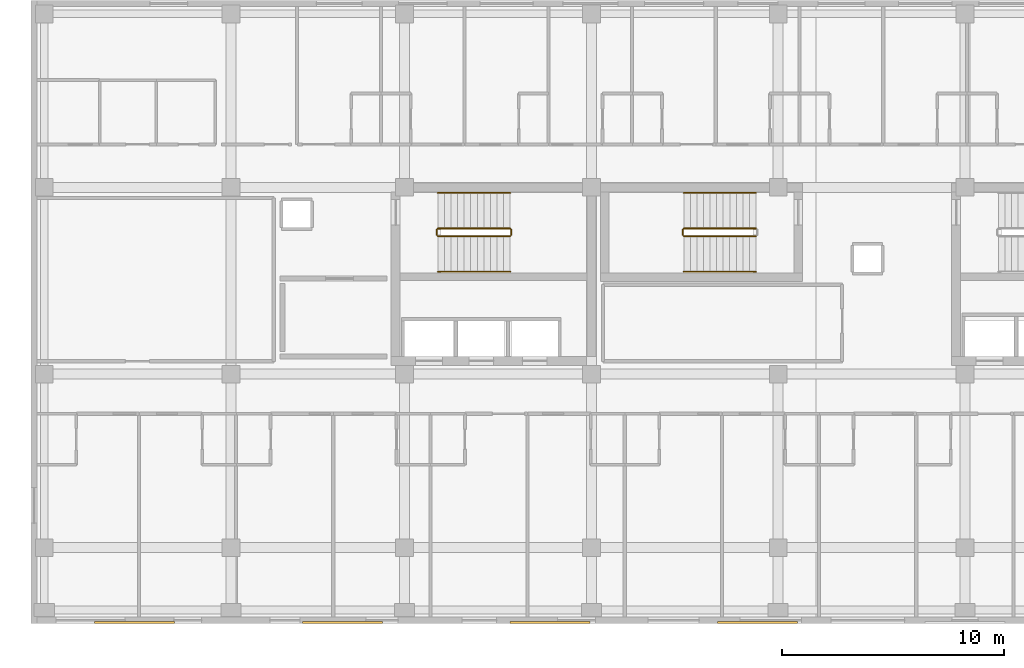
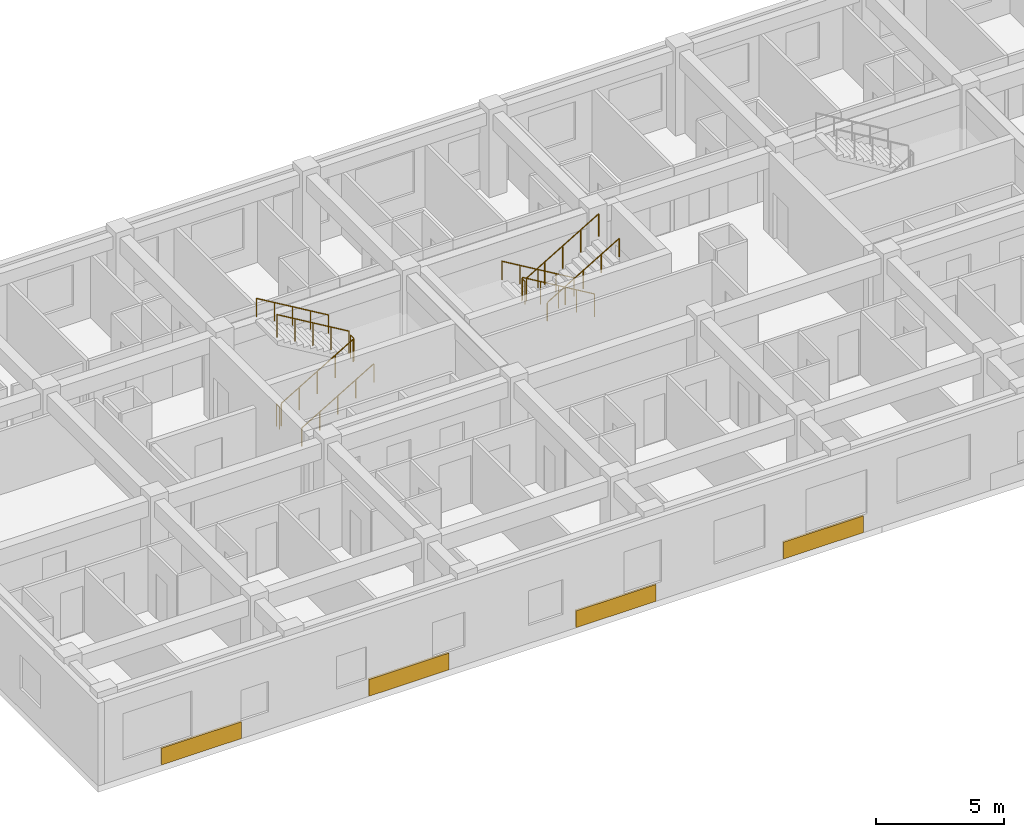
# One storey, part 116 of 127: 11 railings, 4 coverings.
"""IFC4 building model written with IfcOpenShell, lengths in metres."""

from ifc_helpers import new_model, si_unit, direction, frame, origin, origin_2d, place, context, subcontext, project, spatial, rectangle, circle, extrude, material, layer, layer_set, type_object, element, save


model = new_model("IFC4")

# Units and contexts
model_context = context("Model", 3, precision=1e-05, world=origin(), true_north=direction((0.0, 1.0)))
body_context = subcontext(model_context, "Body", "Model", "MODEL_VIEW")
ifc_project = project(units=[si_unit("LENGTHUNIT", "METRE"), si_unit("AREAUNIT", "SQUARE_METRE"), si_unit("VOLUMEUNIT", "CUBIC_METRE"), si_unit("PLANEANGLEUNIT", "RADIAN"), si_unit("MASSUNIT", "GRAM", prefix="KILO")], contexts=[model_context])

# Site, building, storey
site_placement = place(None, origin())
site = spatial("IfcSite", under=ifc_project, at=site_placement, CompositionType="ELEMENT")
building_placement = place(site_placement, origin())
building = spatial("IfcBuilding", under=site, at=building_placement, Name="Zayran Congress Hotel", CompositionType="ELEMENT")
storey_placement = place(building_placement, frame((0.0, 0.0, 10.800048828125)))
storey = spatial("IfcBuildingStorey", under=building, at=storey_placement, Name="L02", CompositionType="ELEMENT", Elevation=10.800048828125)

# Coverings
ifc_material_1 = material(Name="Ochre geometric bas-relief Hajar Ma'ani stone", Category="masonry")
ifc_layer = layer(ifc_material_1, 0.090087890625)
ifc_layer_set = layer_set([ifc_layer], Name="Ochre geometric bas-relief Hajar Ma'ani stone")
covering_type = type_object("IfcCoveringType", Name="TP-CLD-01", PredefinedType="CLADDING", material=ifc_layer_set)
for number, where, z_axis, x_axis, name in (
    (1, (13.06689453125, 6.044921875, 0.0), (0.0, 0.0, 1.0), (1.0, 0.0, 0.0), "CLD-V5S-L02-0"),
    (2, (22.39990234375, 6.044921875, 0.0), (0.0, 0.0, 1.0), (1.0, 0.0, 0.0), "CLD-V5S-L02-1"),
    (3, (31.73291015625, 6.044921875, 0.0), (0.0, 0.0, 1.0), (1.0, 0.0, 0.0), "CLD-V5S-L02-2"),
    (4, (41.06689453125, 6.044921875, 0.0), (0.0, 0.0, 1.0), (1.0, 0.0, 0.0), "CLD-V5S-L02-3"),
):
    element("IfcCovering", number, at=place(storey_placement, frame(where, z_axis=z_axis, x_axis=x_axis)), inside=storey, type_object=covering_type, Name=name, PredefinedType="CLADDING", context=body_context, shape_type="SweptSolid", body=[
        extrude(rectangle(XDim=3.60009765625, YDim=0.090087890625, at=origin_2d()), origin(), (0.0, 0.0, 1.0), 0.800048828125),
    ])

# Railings
ifc_material_2 = material(Name="Painted steel balustrade", Category="steel")
railing_type_1 = type_object("IfcRailingType", Name="TP-GRD-INT", PredefinedType="GUARDRAIL", material=ifc_material_2)
railing_1_placement = place(storey_placement, frame((26.699951171875, 23.409912109375, 0.175048828125)))
element("IfcRailing", 5, at=railing_1_placement, inside=storey, type_object=railing_type_1, Name="L02 ST-01 stair guard 1", PredefinedType="GUARDRAIL", context=body_context, shape_type="SweptSolid", body=[
    extrude(circle(Radius=0.02392578125, at=origin_2d()), frame((0.0, 0.0, 1.076171875), z_axis=(0.860085452069, 0.0, 0.510149992786), x_axis=(0.0, 1.0, 0.0)), (0.0, 0.0, 1.0), 3.77294921875),
    extrude(circle(Radius=0.02099609375, at=origin_2d()), origin(), (0.0, 0.0, 1.0), 1.052001953125),
    extrude(circle(Radius=0.02099609375, at=origin_2d()), frame((0.811279296875, 0.0, 0.481201171875)), (0.0, 0.0, 1.0), 1.052001953125),
    extrude(circle(Radius=0.02099609375, at=origin_2d()), frame((1.62255859375, 0.0, 0.96240234375)), (0.0, 0.0, 1.0), 1.052001953125),
    extrude(circle(Radius=0.02099609375, at=origin_2d()), frame((2.433837890625, 0.0, 1.443603515625)), (0.0, 0.0, 1.0), 1.052001953125),
    extrude(circle(Radius=0.02099609375, at=origin_2d()), frame((3.2451171875, 0.0, 1.9248046875)), (0.0, 0.0, 1.0), 1.052001953125),
])
railing_2_placement = place(storey_placement, frame((29.9951171875, 23.4599609375, 2.099853515625)))
element("IfcRailing", 6, at=railing_2_placement, inside=storey, type_object=railing_type_1, Name="L02 ST-01 stair guard 2", PredefinedType="GUARDRAIL", context=body_context, shape_type="SweptSolid", body=[
    extrude(circle(Radius=0.02392578125, at=origin_2d()), frame((0.0, 0.0, 1.076171875), z_axis=(0.0, 1.0, 0.0), x_axis=(-1.0, 0.0, 0.0)), (0.0, 0.0, 1.0), 0.239990234375),
    extrude(circle(Radius=0.02099609375, at=origin_2d()), origin(), (0.0, 0.0, 1.0), 1.052001953125),
    extrude(circle(Radius=0.02099609375, at=origin_2d()), frame((0.0, 0.239990234375, 0.0)), (0.0, 0.0, 1.0), 1.052001953125),
])
railing_3_placement = place(storey_placement, frame((29.945068359375, 23.75, 2.27490234375)))
element("IfcRailing", 7, at=railing_3_placement, inside=storey, type_object=railing_type_1, Name="L02 ST-01 stair guard 3", PredefinedType="GUARDRAIL", context=body_context, shape_type="SweptSolid", body=[
    extrude(circle(Radius=0.02392578125, at=origin_2d()), frame((0.0, 0.0, 1.076171875), z_axis=(-0.860057060016, 0.0, 0.510197857224), x_axis=(0.0, -1.0, 0.0)), (0.0, 0.0, 1.0), 3.773193359375),
    extrude(circle(Radius=0.02099609375, at=origin_2d()), origin(), (0.0, 0.0, 1.0), 1.052001953125),
    extrude(circle(Radius=0.02099609375, at=origin_2d()), frame((-0.811279296875, 0.0, 0.481201171875)), (0.0, 0.0, 1.0), 1.052001953125),
    extrude(circle(Radius=0.02099609375, at=origin_2d()), frame((-1.62255859375, 0.0, 0.96240234375)), (0.0, 0.0, 1.0), 1.052001953125),
    extrude(circle(Radius=0.02099609375, at=origin_2d()), frame((-2.433837890625, 0.0, 1.44384765625)), (0.0, 0.0, 1.0), 1.052001953125),
    extrude(circle(Radius=0.02099609375, at=origin_2d()), frame((-3.2451171875, 0.0, 1.925048828125)), (0.0, 0.0, 1.0), 1.052001953125),
])
railing_4_placement = place(storey_placement, frame((26.64990234375, 23.4599609375, 0.0)))
element("IfcRailing", 8, at=railing_4_placement, inside=storey, type_object=railing_type_1, Name="L02 ST-01 stair guard 4", PredefinedType="GUARDRAIL", context=body_context, shape_type="SweptSolid", body=[
    extrude(circle(Radius=0.02392578125, at=origin_2d()), frame((0.0, 0.0, 1.076171875), z_axis=(0.0, 1.0, 0.0), x_axis=(-1.0, 0.0, 0.0)), (0.0, 0.0, 1.0), 0.239990234375),
    extrude(circle(Radius=0.02099609375, at=origin_2d()), origin(), (0.0, 0.0, 1.0), 1.052001953125),
    extrude(circle(Radius=0.02099609375, at=origin_2d()), frame((0.0, 0.239990234375, 0.0)), (0.0, 0.0, 1.0), 1.052001953125),
])
railing_5_placement = place(storey_placement, frame((41.0, 23.75, 0.175048828125)))
element("IfcRailing", 9, at=railing_5_placement, inside=storey, type_object=railing_type_1, Name="L02 ST-13 stair guard 1", PredefinedType="GUARDRAIL", context=body_context, shape_type="SweptSolid", body=[
    extrude(circle(Radius=0.02392578125, at=origin_2d()), frame((0.0, 0.0, 1.076171875), z_axis=(-0.860085452069, 0.0, 0.510149992786), x_axis=(0.0, -1.0, 0.0)), (0.0, 0.0, 1.0), 3.77294921875),
    extrude(circle(Radius=0.02099609375, at=origin_2d()), origin(), (0.0, 0.0, 1.0), 1.052001953125),
    extrude(circle(Radius=0.02099609375, at=origin_2d()), frame((-0.811279296875, 0.0, 0.481201171875)), (0.0, 0.0, 1.0), 1.052001953125),
    extrude(circle(Radius=0.02099609375, at=origin_2d()), frame((-1.62255859375, 0.0, 0.96240234375)), (0.0, 0.0, 1.0), 1.052001953125),
    extrude(circle(Radius=0.02099609375, at=origin_2d()), frame((-2.433837890625, 0.0, 1.443603515625)), (0.0, 0.0, 1.0), 1.052001953125),
    extrude(circle(Radius=0.02099609375, at=origin_2d()), frame((-3.2451171875, 0.0, 1.9248046875)), (0.0, 0.0, 1.0), 1.052001953125),
])
railing_6_placement = place(storey_placement, frame((37.705078125, 23.699951171875, 2.099853515625)))
element("IfcRailing", 10, at=railing_6_placement, inside=storey, type_object=railing_type_1, Name="L02 ST-13 stair guard 2", PredefinedType="GUARDRAIL", context=body_context, shape_type="SweptSolid", body=[
    extrude(circle(Radius=0.02392578125, at=origin_2d()), frame((0.0, 0.0, 1.076171875), z_axis=(0.0, -1.0, 0.0), x_axis=(1.0, 0.0, 0.0)), (0.0, 0.0, 1.0), 0.239990234375),
    extrude(circle(Radius=0.02099609375, at=origin_2d()), origin(), (0.0, 0.0, 1.0), 1.052001953125),
    extrude(circle(Radius=0.02099609375, at=origin_2d()), frame((0.0, -0.239990234375, 0.0)), (0.0, 0.0, 1.0), 1.052001953125),
])
railing_7_placement = place(storey_placement, frame((37.7548828125, 23.409912109375, 2.27490234375)))
element("IfcRailing", 11, at=railing_7_placement, inside=storey, type_object=railing_type_1, Name="L02 ST-13 stair guard 3", PredefinedType="GUARDRAIL", context=body_context, shape_type="SweptSolid", body=[
    extrude(circle(Radius=0.02392578125, at=origin_2d()), frame((0.0, 0.0, 1.076171875), z_axis=(0.860057060016, 0.0, 0.510197857224), x_axis=(0.0, 1.0, 0.0)), (0.0, 0.0, 1.0), 3.773193359375),
    extrude(circle(Radius=0.02099609375, at=origin_2d()), origin(), (0.0, 0.0, 1.0), 1.052001953125),
    extrude(circle(Radius=0.02099609375, at=origin_2d()), frame((0.811279296875, 0.0, 0.481201171875)), (0.0, 0.0, 1.0), 1.052001953125),
    extrude(circle(Radius=0.02099609375, at=origin_2d()), frame((1.62255859375, 0.0, 0.96240234375)), (0.0, 0.0, 1.0), 1.052001953125),
    extrude(circle(Radius=0.02099609375, at=origin_2d()), frame((2.433837890625, 0.0, 1.44384765625)), (0.0, 0.0, 1.0), 1.052001953125),
    extrude(circle(Radius=0.02099609375, at=origin_2d()), frame((3.2451171875, 0.0, 1.925048828125)), (0.0, 0.0, 1.0), 1.052001953125),
])
ifc_material_3 = material(Name="Brushed stainless steel handrail", Category="steel")
railing_type_2 = type_object("IfcRailingType", Name="TP-HND-STR", PredefinedType="HANDRAIL", material=ifc_material_3)
railing_8_placement = place(storey_placement, frame((26.699951171875, 21.81005859375, 0.175048828125)))
element("IfcRailing", 12, at=railing_8_placement, inside=storey, type_object=railing_type_2, Name="L02 ST-01 stair handrail 1", PredefinedType="HANDRAIL", context=body_context, shape_type="SweptSolid", body=[
    extrude(circle(Radius=0.02392578125, at=origin_2d()), frame((0.0, 0.0, 0.8759765625), z_axis=(0.860085452069, 0.0, 0.510149992786), x_axis=(0.0, 1.0, 0.0)), (0.0, 0.0, 1.0), 3.77294921875),
    extrude(circle(Radius=0.02099609375, at=origin_2d()), origin(), (0.0, 0.0, 1.0), 0.851806640625),
    extrude(circle(Radius=0.02099609375, at=origin_2d()), frame((0.811279296875, 0.0, 0.481201171875)), (0.0, 0.0, 1.0), 0.851806640625),
    extrude(circle(Radius=0.02099609375, at=origin_2d()), frame((1.62255859375, 0.0, 0.96240234375)), (0.0, 0.0, 1.0), 0.851806640625),
    extrude(circle(Radius=0.02099609375, at=origin_2d()), frame((2.433837890625, 0.0, 1.443603515625)), (0.0, 0.0, 1.0), 0.851806640625),
    extrude(circle(Radius=0.02099609375, at=origin_2d()), frame((3.2451171875, 0.0, 1.9248046875)), (0.0, 0.0, 1.0), 0.851806640625),
])
railing_9_placement = place(storey_placement, frame((29.945068359375, 25.35009765625, 2.27490234375)))
element("IfcRailing", 13, at=railing_9_placement, inside=storey, type_object=railing_type_2, Name="L02 ST-01 stair handrail 2", PredefinedType="HANDRAIL", context=body_context, shape_type="SweptSolid", body=[
    extrude(circle(Radius=0.02392578125, at=origin_2d()), frame((0.0, 0.0, 0.8759765625), z_axis=(-0.860057060016, 0.0, 0.510197857224), x_axis=(0.0, -1.0, 0.0)), (0.0, 0.0, 1.0), 3.773193359375),
    extrude(circle(Radius=0.02099609375, at=origin_2d()), origin(), (0.0, 0.0, 1.0), 0.851806640625),
    extrude(circle(Radius=0.02099609375, at=origin_2d()), frame((-0.811279296875, 0.0, 0.481201171875)), (0.0, 0.0, 1.0), 0.851806640625),
    extrude(circle(Radius=0.02099609375, at=origin_2d()), frame((-1.62255859375, 0.0, 0.96240234375)), (0.0, 0.0, 1.0), 0.851806640625),
    extrude(circle(Radius=0.02099609375, at=origin_2d()), frame((-2.433837890625, 0.0, 1.44384765625)), (0.0, 0.0, 1.0), 0.851806640625),
    extrude(circle(Radius=0.02099609375, at=origin_2d()), frame((-3.2451171875, 0.0, 1.925048828125)), (0.0, 0.0, 1.0), 0.851806640625),
])
railing_10_placement = place(storey_placement, frame((41.0, 25.35009765625, 0.175048828125)))
element("IfcRailing", 14, at=railing_10_placement, inside=storey, type_object=railing_type_2, Name="L02 ST-13 stair handrail 1", PredefinedType="HANDRAIL", context=body_context, shape_type="SweptSolid", body=[
    extrude(circle(Radius=0.02392578125, at=origin_2d()), frame((0.0, 0.0, 0.8759765625), z_axis=(-0.860085452069, 0.0, 0.510149992786), x_axis=(0.0, -1.0, 0.0)), (0.0, 0.0, 1.0), 3.77294921875),
    extrude(circle(Radius=0.02099609375, at=origin_2d()), origin(), (0.0, 0.0, 1.0), 0.851806640625),
    extrude(circle(Radius=0.02099609375, at=origin_2d()), frame((-0.811279296875, 0.0, 0.481201171875)), (0.0, 0.0, 1.0), 0.851806640625),
    extrude(circle(Radius=0.02099609375, at=origin_2d()), frame((-1.62255859375, 0.0, 0.96240234375)), (0.0, 0.0, 1.0), 0.851806640625),
    extrude(circle(Radius=0.02099609375, at=origin_2d()), frame((-2.433837890625, 0.0, 1.443603515625)), (0.0, 0.0, 1.0), 0.851806640625),
    extrude(circle(Radius=0.02099609375, at=origin_2d()), frame((-3.2451171875, 0.0, 1.9248046875)), (0.0, 0.0, 1.0), 0.851806640625),
])
railing_11_placement = place(storey_placement, frame((37.7548828125, 21.81005859375, 2.27490234375)))
element("IfcRailing", 15, at=railing_11_placement, inside=storey, type_object=railing_type_2, Name="L02 ST-13 stair handrail 2", PredefinedType="HANDRAIL", context=body_context, shape_type="SweptSolid", body=[
    extrude(circle(Radius=0.02392578125, at=origin_2d()), frame((0.0, 0.0, 0.8759765625), z_axis=(0.860057060016, 0.0, 0.510197857224), x_axis=(0.0, 1.0, 0.0)), (0.0, 0.0, 1.0), 3.773193359375),
    extrude(circle(Radius=0.02099609375, at=origin_2d()), origin(), (0.0, 0.0, 1.0), 0.851806640625),
    extrude(circle(Radius=0.02099609375, at=origin_2d()), frame((0.811279296875, 0.0, 0.481201171875)), (0.0, 0.0, 1.0), 0.851806640625),
    extrude(circle(Radius=0.02099609375, at=origin_2d()), frame((1.62255859375, 0.0, 0.96240234375)), (0.0, 0.0, 1.0), 0.851806640625),
    extrude(circle(Radius=0.02099609375, at=origin_2d()), frame((2.433837890625, 0.0, 1.44384765625)), (0.0, 0.0, 1.0), 0.851806640625),
    extrude(circle(Radius=0.02099609375, at=origin_2d()), frame((3.2451171875, 0.0, 1.925048828125)), (0.0, 0.0, 1.0), 0.851806640625),
])

save(model, "model.ifc")
